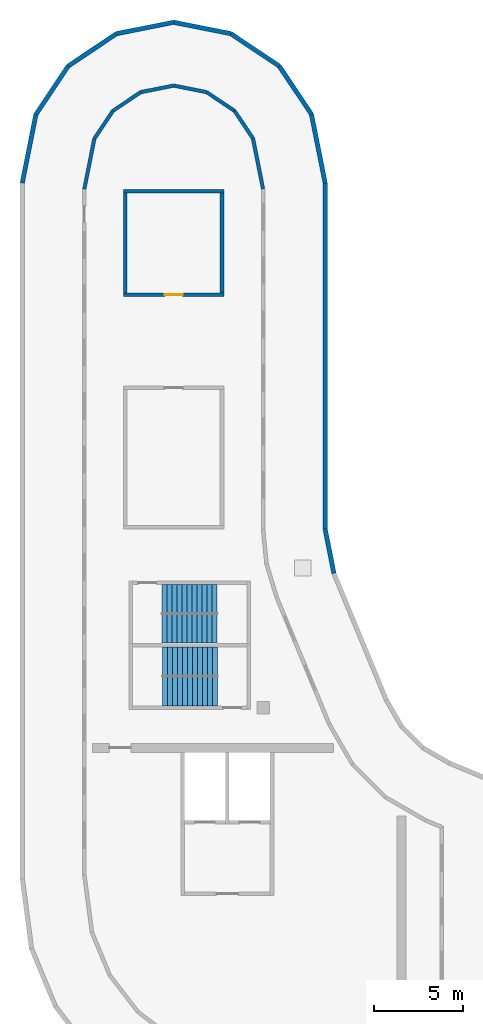
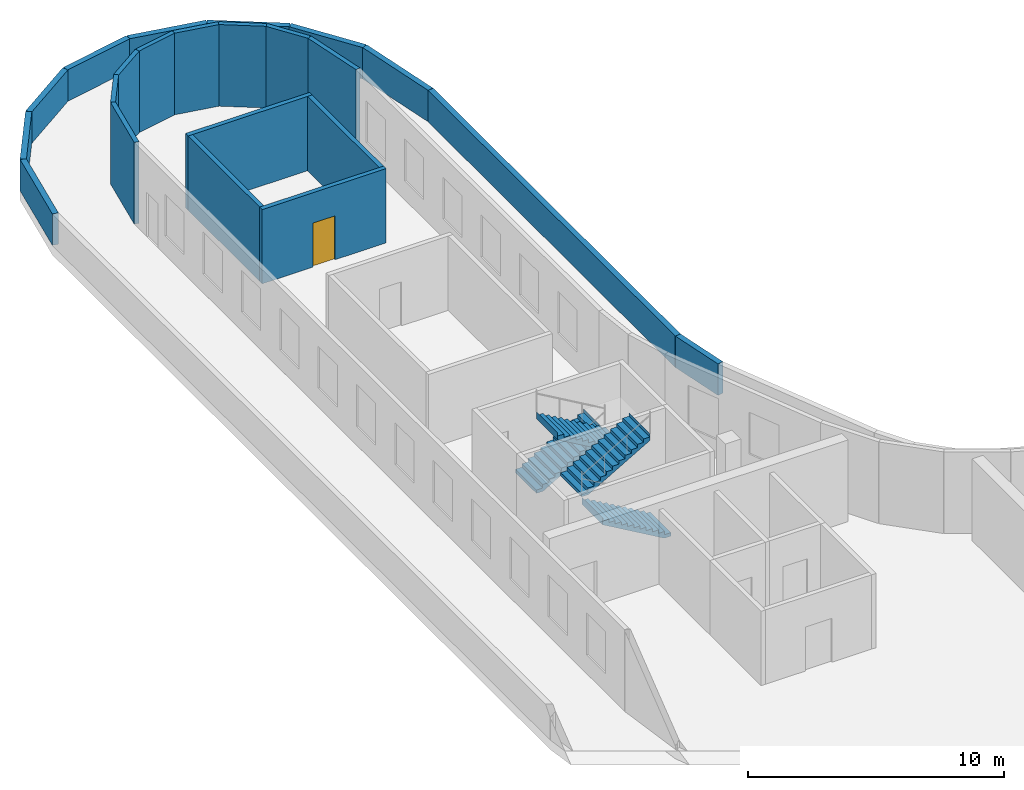
# One storey, part 3 of 4: 22 walls, 4 stair flights, 1 door, 1 opening, 2 elements without a shape of their own.
"""IFC4 building model written with IfcOpenShell, lengths in metres."""

from ifc_helpers import new_model, si_unit, direction, frame, frame_2d, origin, place, context, subcontext, project, spatial, polyline, rectangle, outline, extrude, material, layer, layer_set, type_object, element, fill, aggregate, save


model = new_model("IFC4")

# Units and contexts
model_context = context("Model", 3, precision=1e-05, world=origin(), true_north=direction((0.0, 1.0)))
body_context = subcontext(model_context, "Body", "Model", "MODEL_VIEW")
ifc_project = project(units=[si_unit("LENGTHUNIT", "METRE"), si_unit("AREAUNIT", "SQUARE_METRE"), si_unit("VOLUMEUNIT", "CUBIC_METRE"), si_unit("PLANEANGLEUNIT", "RADIAN"), si_unit("MASSUNIT", "GRAM", prefix="KILO")], contexts=[model_context])

# Site, building, storey
site_placement = place(None, origin())
site = spatial("IfcSite", under=ifc_project, at=site_placement, CompositionType="ELEMENT")
building_placement = place(site_placement, origin())
building = spatial("IfcBuilding", under=site, at=building_placement, Name="Qaws Garden Tower", CompositionType="ELEMENT")
storey_placement = place(building_placement, frame((0.0, 0.0, 373.800048828125)))
storey = spatial("IfcBuildingStorey", under=building, at=storey_placement, Name="C3", CompositionType="ELEMENT", Elevation=373.800048828125)

# Walls
ifc_material_1 = material(Name="Brick masonry", Category="masonry")
ifc_layer_1 = layer(ifc_material_1, 0.25)
ifc_layer_set_1 = layer_set([ifc_layer_1], Name="Brick masonry")
wall_type_1 = type_object("IfcWallType", Name="Parapet 250", PredefinedType="PARAPET", material=ifc_layer_set_1)
wall_1_placement = place(storey_placement, frame((6.52490234375, 59.357421875, 0.0), z_axis=(0.0, 0.0, 1.0), x_axis=(0.195083912687, 0.980786555276, 0.0)))
element("IfcWall", 1, at=wall_1_placement, inside=storey, type_object=wall_type_1, Name="Maintenance terrace parapet C3", PredefinedType="PARAPET", context=body_context, shape_type="SweptSolid", body=[
    extrude(rectangle(XDim=3.912109375, YDim=0.25, at=frame_2d((1.9560546875, 0.0))), origin(), (0.0, 0.0, 1.0), 1.5),
])
for number, where, z_axis, x_axis, name in (
    (2, (7.2880859375, 63.1943359375, 0.0), (0.0, 0.0, 1.0), (0.555599385382, 0.831450132577, 0.0), "Maintenance terrace parapet C3"),
    (3, (9.09765625, 65.90234375, 0.0), (0.0, 0.0, 1.0), (0.831450132577, 0.555599385382, 0.0), "Maintenance terrace parapet C3"),
):
    element("IfcWall", number, at=place(storey_placement, frame(where, z_axis=z_axis, x_axis=x_axis)), inside=storey, type_object=wall_type_1, Name=name, PredefinedType="PARAPET", context=body_context, shape_type="SweptSolid", body=[
        extrude(rectangle(XDim=3.257080078125, YDim=0.25, at=frame_2d((1.62841796875, 0.0))), origin(), (0.0, 0.0, 1.0), 1.5),
    ])
for number, where, z_axis, x_axis, name in (
    (4, (11.8056640625, 67.7119140625, 0.0), (0.0, 0.0, 1.0), (0.980793446786, 0.195049262346, 0.0), "Maintenance terrace parapet C3"),
    (5, (15.0, 68.34716796875, 0.0), (0.0, 0.0, 1.0), (0.980793446786, -0.195049262346, 0.0), "Maintenance terrace parapet C3"),
):
    element("IfcWall", number, at=place(storey_placement, frame(where, z_axis=z_axis, x_axis=x_axis)), inside=storey, type_object=wall_type_1, Name=name, PredefinedType="PARAPET", context=body_context, shape_type="SweptSolid", body=[
        extrude(rectangle(XDim=3.2568359375, YDim=0.25, at=frame_2d((1.62841796875, 0.0))), origin(), (0.0, 0.0, 1.0), 1.5),
    ])
for number, where, z_axis, x_axis, name in (
    (6, (18.1943359375, 67.7119140625, 0.0), (0.0, 0.0, 1.0), (0.831450132577, -0.555599385382, 0.0), "Maintenance terrace parapet C3"),
    (7, (20.90234375, 65.90234375, 0.0), (0.0, 0.0, 1.0), (0.555599385382, -0.831450132577, 0.0), "Maintenance terrace parapet C3"),
):
    element("IfcWall", number, at=place(storey_placement, frame(where, z_axis=z_axis, x_axis=x_axis)), inside=storey, type_object=wall_type_1, Name=name, PredefinedType="PARAPET", context=body_context, shape_type="SweptSolid", body=[
        extrude(rectangle(XDim=3.257080078125, YDim=0.25, at=frame_2d((1.62841796875, 0.0))), origin(), (0.0, 0.0, 1.0), 1.5),
    ])
wall_2_placement = place(storey_placement, frame((22.7119140625, 63.1943359375, 0.0), z_axis=(0.0, 0.0, 1.0), x_axis=(0.195083912687, -0.980786555276, 0.0)))
element("IfcWall", 8, at=wall_2_placement, inside=storey, type_object=wall_type_1, Name="Maintenance terrace parapet C3", PredefinedType="PARAPET", context=body_context, shape_type="SweptSolid", body=[
    extrude(rectangle(XDim=3.912109375, YDim=0.25, at=frame_2d((1.9560546875, 0.0))), origin(), (0.0, 0.0, 1.0), 1.5),
])
wall_3_placement = place(storey_placement, frame((23.47509765625, 59.357421875, 0.0), z_axis=(0.0, 0.0, 1.0), x_axis=(0.0, -1.0, 0.0)))
element("IfcWall", 9, at=wall_3_placement, inside=storey, type_object=wall_type_1, Name="Maintenance terrace parapet C3", PredefinedType="PARAPET", context=body_context, shape_type="SweptSolid", body=[
    extrude(rectangle(XDim=19.36962890625, YDim=0.25, at=frame_2d((9.684814453125, 0.0))), origin(), (0.0, 0.0, 1.0), 1.5),
])
wall_4_placement = place(storey_placement, frame((23.47509765625, 39.98779296875, 0.0), z_axis=(0.0, 0.0, 1.0), x_axis=(0.19507344812, -0.980788636679, 0.0)))
element("IfcWall", 10, at=wall_4_placement, inside=storey, type_object=wall_type_1, Name="Maintenance terrace parapet C3", PredefinedType="PARAPET", context=body_context, shape_type="SweptSolid", body=[
    extrude(rectangle(XDim=2.521728515625, YDim=0.25, at=frame_2d((1.2607421875, 0.0))), origin(), (0.0, 0.0, 1.0), 1.5),
])

# Wall, opening, door
ifc_material_2 = material(Name="Blockwork", Category="masonry")
ifc_layer_2 = layer(ifc_material_2, 0.199951171875)
ifc_layer_set_2 = layer_set([ifc_layer_2], Name="Blockwork")
wall_type_2 = type_object("IfcWallType", Name="Plant room wall 200", PredefinedType="PARTITIONING", material=ifc_layer_set_2)
wall_5_placement = place(storey_placement, frame((12.199951171875, 53.10009765625, 0.0), z_axis=(0.0, 0.0, 1.0), x_axis=(1.0, 0.0, 0.0)))
wall_5 = element("IfcWall", 11, at=wall_5_placement, inside=storey, type_object=wall_type_2, Name="Telecommunications plant room wall", PredefinedType="PARTITIONING", context=body_context, shape_type="SweptSolid", body=[
    extrude(rectangle(XDim=5.60009765625, YDim=0.199951171875, at=frame_2d((2.800048828125, 0.0))), origin(), (0.0, 0.0, 1.0), 3.550048828125),
])
opening_placement = place(wall_5_placement, frame((2.300048828125, 0.0, 0.0)))
opening = element("IfcOpeningElement", 12, at=opening_placement, cuts=wall_5, Name="Opening PD12-02", PredefinedType="OPENING", context=body_context, shape_type="SweptSolid", body=[
    extrude(rectangle(XDim=1.0, YDim=2.10009765625, at=frame_2d((0.5, 1.050048828125))), frame((0.0, 0.10986328125, 0.0), z_axis=(0.0, -1.0, 0.0), x_axis=(1.0, 0.0, 0.0)), (0.0, 0.0, 1.0), 0.219970703125),
])
ifc_material_3 = material(Name="Steel S235 framed door leaf", Category="steel")
door_type = type_object("IfcDoorType", Name="Door D12 fire single 1000", OperationType="SINGLE_SWING_LEFT", PredefinedType="DOOR", material=ifc_material_3)
door_placement = place(opening_placement, origin())
door = element("IfcDoor", 13, at=door_placement, inside=storey, type_object=door_type, Name="Telecommunications plant room door", OperationType="SINGLE_SWING_RIGHT", OverallHeight=2.10009765625, OverallWidth=1.0, PredefinedType="DOOR", context=body_context, shape_type="SweptSolid", body=[
    extrude(rectangle(XDim=1.0, YDim=2.10009765625, at=frame_2d((0.5, 1.050048828125))), frame((0.0, 0.02490234375, 0.0), z_axis=(0.0, -1.0, 0.0), x_axis=(1.0, 0.0, 0.0)), (0.0, 0.0, 1.0), 0.050048828125),
])
fill(opening, door)

# Walls
for number, where, z_axis, x_axis, name in (
    (14, (12.199951171875, 58.89990234375, 0.0), (0.0, 0.0, 1.0), (1.0, 0.0, 0.0), "Telecommunications plant room wall"),
    (15, (12.300048828125, 53.199951171875, 0.0), (0.0, 0.0, 1.0), (0.0, 1.0, 0.0), "Telecommunications plant room wall"),
    (16, (17.699951171875, 53.199951171875, 0.0), (0.0, 0.0, 1.0), (0.0, 1.0, 0.0), "Telecommunications plant room wall"),
):
    element("IfcWall", number, at=place(storey_placement, frame(where, z_axis=z_axis, x_axis=x_axis)), inside=storey, type_object=wall_type_2, Name=name, PredefinedType="PARTITIONING", context=body_context, shape_type="SweptSolid", body=[
        extrude(rectangle(XDim=5.60009765625, YDim=0.199951171875, at=frame_2d((2.800048828125, 0.0))), origin(), (0.0, 0.0, 1.0), 3.550048828125),
    ])
ifc_material_4 = material(Name="Brick masonry", Category="masonry")
ifc_layer_3 = layer(ifc_material_4, 0.199951171875)
ifc_layer_set_3 = layer_set([ifc_layer_3], Name="Brick masonry")
wall_type_3 = type_object("IfcWallType", Name="Plant screen louvre 200", PredefinedType="STANDARD", material=ifc_layer_set_3)
wall_6_placement = place(storey_placement, frame((10.0, 59.01513671875, 0.0), z_axis=(0.0, 0.0, 1.0), x_axis=(0.195072159616, 0.980788892954, 0.0)))
element("IfcWall", 17, at=wall_6_placement, inside=storey, type_object=wall_type_3, Name="Plant screen wall C3 8", PredefinedType="STANDARD", context=body_context, shape_type="SweptSolid", body=[
    extrude(rectangle(XDim=2.878662109375, YDim=0.199951171875, at=frame_2d((1.439453125, 0.0))), origin(), (0.0, 0.0, 1.0), 3.89990234375),
])
for number, where, z_axis, x_axis, name in (
    (18, (10.5615234375, 61.83837890625, 0.0), (0.0, 0.0, 1.0), (0.555601528316, 0.831448700602, 0.0), "Plant screen wall C3 9"),
    (19, (11.60302734375, 63.39697265625, 0.0), (0.0, 0.0, 1.0), (0.831448700602, 0.555601528316, 0.0), "Plant screen wall C3 10"),
    (20, (13.16162109375, 64.4384765625, 0.0), (0.0, 0.0, 1.0), (0.980780548044, 0.195114111683, 0.0), "Plant screen wall C3 11"),
    (21, (15.0, 64.80419921875, 0.0), (0.0, 0.0, 1.0), (0.980780548044, -0.195114111683, 0.0), "Plant screen wall C3 12"),
    (22, (16.83837890625, 64.4384765625, 0.0), (0.0, 0.0, 1.0), (0.831448700602, -0.555601528316, 0.0), "Plant screen wall C3 13"),
    (23, (18.39697265625, 63.39697265625, 0.0), (0.0, 0.0, 1.0), (0.555601528316, -0.831448700602, 0.0), "Plant screen wall C3 14"),
):
    element("IfcWall", number, at=place(storey_placement, frame(where, z_axis=z_axis, x_axis=x_axis)), inside=storey, type_object=wall_type_3, Name=name, PredefinedType="STANDARD", context=body_context, shape_type="SweptSolid", body=[
        extrude(rectangle(XDim=1.87451171875, YDim=0.199951171875, at=frame_2d((0.937255859375, 0.0))), origin(), (0.0, 0.0, 1.0), 3.89990234375),
    ])
wall_7_placement = place(storey_placement, frame((19.4384765625, 61.83837890625, 0.0), z_axis=(0.0, 0.0, 1.0), x_axis=(0.195072159616, -0.980788892954, 0.0)))
element("IfcWall", 24, at=wall_7_placement, inside=storey, type_object=wall_type_3, Name="Plant screen wall C3 15", PredefinedType="STANDARD", context=body_context, shape_type="SweptSolid", body=[
    extrude(rectangle(XDim=2.878662109375, YDim=0.199951171875, at=frame_2d((1.439453125, 0.0))), origin(), (0.0, 0.0, 1.0), 3.89990234375),
])

# Stair, stair flights
ifc_material_5 = material(Name="Concrete C40", Category="concrete")
stair_type = type_object("IfcStairType", Name="Exit stair 1350", PredefinedType="HALF_TURN_STAIR", material=ifc_material_5)
placement = place(storey_placement, origin())
stair_1 = element("IfcStair", 25, at=placement, inside=storey, type_object=stair_type, Name="Stair 1", PredefinedType="HALF_TURN_STAIR")
ifc_material_6 = material(Name="Concrete C40", Category="concrete")
stair_flight_type = type_object("IfcStairFlightType", Name="Stair flight 1350", PredefinedType="STRAIGHT", material=ifc_material_6)
stair_flight_1_placement = place(storey_placement, frame((17.449951171875, 30.925048828125, 0.0), z_axis=(0.0, 0.0, 1.0), x_axis=(-1.0, 0.0, 0.0)))
stair_flight_1 = element("IfcStairFlight", 26, at=stair_flight_1_placement, type_object=stair_flight_type, Name="CS1 flight 1", NumberOfRisers=12, NumberOfTreads=11, PredefinedType="STRAIGHT", RiserHeight=0.1625, TreadLength=0.28, context=body_context, shape_type="SweptSolid", body=[
    extrude(outline(polyline([(-0.0029296875, 0.0), (-0.0029296875, 0.16259765625), (0.0, 0.16259765625), (0.280029296875, 0.16259765625), (0.280029296875, 0.324951171875), (0.56005859375, 0.324951171875), (0.56005859375, 0.487548828125), (0.840087890625, 0.487548828125), (0.840087890625, 0.64990234375), (1.1201171875, 0.64990234375), (1.1201171875, 0.8125), (1.39990234375, 0.8125), (1.39990234375, 0.97509765625), (1.679931640625, 0.97509765625), (1.679931640625, 1.137451171875), (1.9599609375, 1.137451171875), (1.9599609375, 1.300048828125), (2.239990234375, 1.300048828125), (2.239990234375, 1.46240234375), (2.52001953125, 1.46240234375), (2.52001953125, 1.625), (2.800048828125, 1.625), (2.800048828125, 1.78759765625), (3.080078125, 1.78759765625), (3.080078125, 1.949951171875), (3.0830078125, 1.949951171875), (3.0830078125, 1.6142578125), (3.080078125, 1.6142578125), (0.298583984375, 0.0), (-0.0029296875, 0.0)])), frame((0.0, 0.81982421875, 0.0), z_axis=(0.0, -1.0, 0.0), x_axis=(1.0, 0.0, 0.0)), (0.0, 0.0, 1.0), 1.639892578125),
])
stair_flight_2_placement = place(storey_placement, frame((14.3701171875, 32.574951171875, 1.949951171875), z_axis=(0.0, 0.0, 1.0), x_axis=(1.0, 0.0, 0.0)))
stair_flight_2 = element("IfcStairFlight", 27, at=stair_flight_2_placement, type_object=stair_flight_type, Name="CS1 flight 2", NumberOfRisers=12, NumberOfTreads=11, PredefinedType="STRAIGHT", RiserHeight=0.1625, TreadLength=0.28, context=body_context, shape_type="SweptSolid", body=[
    extrude(outline(polyline([(-0.0029296875, 0.0), (-0.0029296875, 0.16259765625), (0.0, 0.16259765625), (0.280029296875, 0.16259765625), (0.280029296875, 0.324951171875), (0.56005859375, 0.324951171875), (0.56005859375, 0.487548828125), (0.840087890625, 0.487548828125), (0.840087890625, 0.64990234375), (1.1201171875, 0.64990234375), (1.1201171875, 0.8125), (1.39990234375, 0.8125), (1.39990234375, 0.97509765625), (1.679931640625, 0.97509765625), (1.679931640625, 1.137451171875), (1.9599609375, 1.137451171875), (1.9599609375, 1.300048828125), (2.239990234375, 1.300048828125), (2.239990234375, 1.46240234375), (2.52001953125, 1.46240234375), (2.52001953125, 1.625), (2.800048828125, 1.625), (2.800048828125, 1.78759765625), (3.080078125, 1.78759765625), (3.080078125, 1.949951171875), (3.0830078125, 1.949951171875), (3.0830078125, 1.6142578125), (3.080078125, 1.6142578125), (0.298583984375, 0.0), (-0.0029296875, 0.0)])), frame((0.0, 0.81982421875, 0.0), z_axis=(0.0, -1.0, 0.0), x_axis=(1.0, 0.0, 0.0)), (0.0, 0.0, 1.0), 1.639892578125),
])
aggregate(stair_1, [stair_flight_1, stair_flight_2])

stair_2 = element("IfcStair", 28, at=placement, inside=storey, type_object=stair_type, Name="Stair 2", PredefinedType="HALF_TURN_STAIR")
stair_flight_3_placement = place(storey_placement, frame((14.35009765625, 36.074951171875, 0.0), z_axis=(0.0, 0.0, 1.0), x_axis=(1.0, 0.0, 0.0)))
stair_flight_3 = element("IfcStairFlight", 29, at=stair_flight_3_placement, type_object=stair_flight_type, Name="CS2 flight 1", NumberOfRisers=12, NumberOfTreads=11, PredefinedType="STRAIGHT", RiserHeight=0.1625, TreadLength=0.28, context=body_context, shape_type="SweptSolid", body=[
    extrude(outline(polyline([(-0.0029296875, 0.0), (-0.0029296875, 0.16259765625), (0.0, 0.16259765625), (0.280029296875, 0.16259765625), (0.280029296875, 0.324951171875), (0.56005859375, 0.324951171875), (0.56005859375, 0.487548828125), (0.840087890625, 0.487548828125), (0.840087890625, 0.64990234375), (1.1201171875, 0.64990234375), (1.1201171875, 0.8125), (1.39990234375, 0.8125), (1.39990234375, 0.97509765625), (1.679931640625, 0.97509765625), (1.679931640625, 1.137451171875), (1.9599609375, 1.137451171875), (1.9599609375, 1.300048828125), (2.239990234375, 1.300048828125), (2.239990234375, 1.46240234375), (2.52001953125, 1.46240234375), (2.52001953125, 1.625), (2.800048828125, 1.625), (2.800048828125, 1.78759765625), (3.080078125, 1.78759765625), (3.080078125, 1.949951171875), (3.0830078125, 1.949951171875), (3.0830078125, 1.6142578125), (3.080078125, 1.6142578125), (0.298583984375, 0.0), (-0.0029296875, 0.0)])), frame((0.0, 0.81982421875, 0.0), z_axis=(0.0, -1.0, 0.0), x_axis=(1.0, 0.0, 0.0)), (0.0, 0.0, 1.0), 1.639892578125),
])
stair_flight_4_placement = place(storey_placement, frame((17.429931640625, 34.425048828125, 1.949951171875), z_axis=(0.0, 0.0, 1.0), x_axis=(-1.0, 0.0, 0.0)))
stair_flight_4 = element("IfcStairFlight", 30, at=stair_flight_4_placement, type_object=stair_flight_type, Name="CS2 flight 2", NumberOfRisers=12, NumberOfTreads=11, PredefinedType="STRAIGHT", RiserHeight=0.1625, TreadLength=0.28, context=body_context, shape_type="SweptSolid", body=[
    extrude(outline(polyline([(-0.0029296875, 0.0), (-0.0029296875, 0.16259765625), (0.0, 0.16259765625), (0.280029296875, 0.16259765625), (0.280029296875, 0.324951171875), (0.56005859375, 0.324951171875), (0.56005859375, 0.487548828125), (0.840087890625, 0.487548828125), (0.840087890625, 0.64990234375), (1.1201171875, 0.64990234375), (1.1201171875, 0.8125), (1.39990234375, 0.8125), (1.39990234375, 0.97509765625), (1.679931640625, 0.97509765625), (1.679931640625, 1.137451171875), (1.9599609375, 1.137451171875), (1.9599609375, 1.300048828125), (2.239990234375, 1.300048828125), (2.239990234375, 1.46240234375), (2.52001953125, 1.46240234375), (2.52001953125, 1.625), (2.800048828125, 1.625), (2.800048828125, 1.78759765625), (3.080078125, 1.78759765625), (3.080078125, 1.949951171875), (3.0830078125, 1.949951171875), (3.0830078125, 1.6142578125), (3.080078125, 1.6142578125), (0.298583984375, 0.0), (-0.0029296875, 0.0)])), frame((0.0, 0.81982421875, 0.0), z_axis=(0.0, -1.0, 0.0), x_axis=(1.0, 0.0, 0.0)), (0.0, 0.0, 1.0), 1.639892578125),
])
aggregate(stair_2, [stair_flight_3, stair_flight_4])

save(model, "model.ifc")
